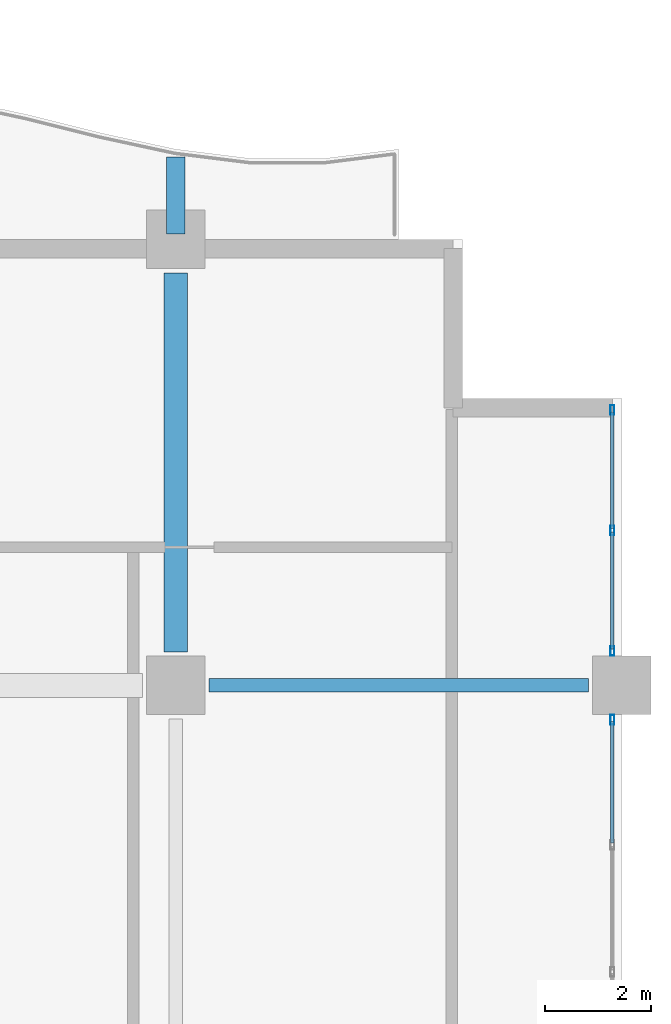
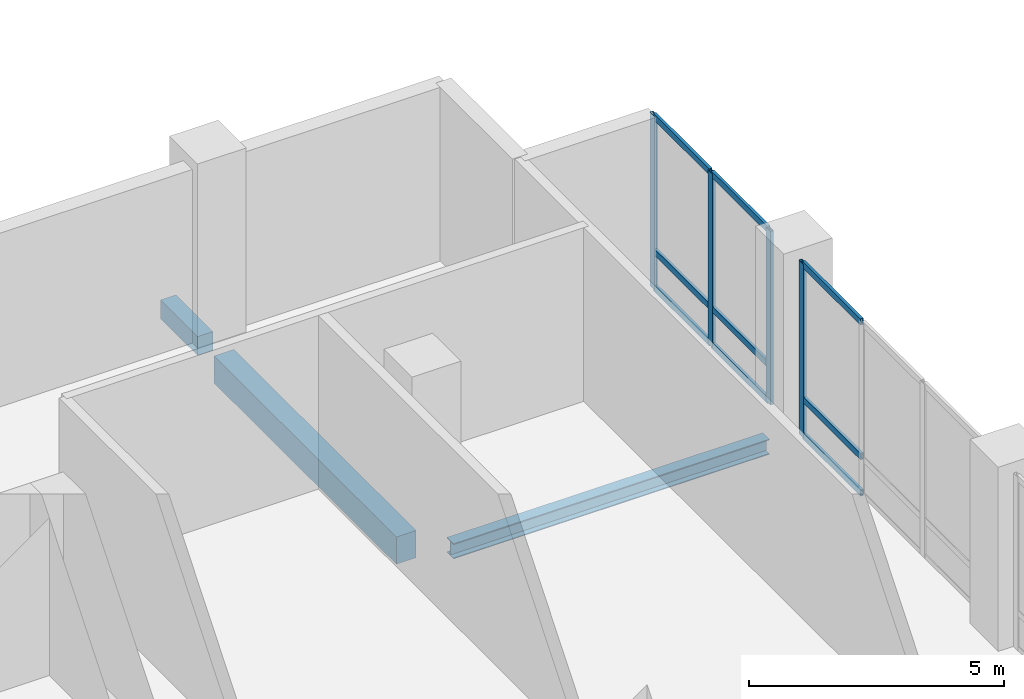
# One storey, part 7 of 22: 13 members, 3 beams, 2 elements without a shape of their own.
"""IFC4 building model written with IfcOpenShell, lengths in metres."""

from ifc_helpers import new_model, si_unit, direction, frame, origin, origin_2d, place, context, subcontext, project, spatial, rectangle, hollow_rectangle, i_section, extrude, material, layer, layer_set, material_profile, profile_set, type_object, element, aggregate, save


model = new_model("IFC4")

# Units and contexts
model_context = context("Model", 3, precision=1e-05, world=origin(), true_north=direction((0.0, 1.0)))
body_context = subcontext(model_context, "Body", "Model", "MODEL_VIEW")
ifc_project = project(units=[si_unit("LENGTHUNIT", "METRE"), si_unit("AREAUNIT", "SQUARE_METRE"), si_unit("VOLUMEUNIT", "CUBIC_METRE"), si_unit("PLANEANGLEUNIT", "RADIAN"), si_unit("MASSUNIT", "GRAM", prefix="KILO")], contexts=[model_context])

# Site, building, storey
site_placement = place(None, origin())
site = spatial("IfcSite", under=ifc_project, at=site_placement, CompositionType="ELEMENT")
building_placement = place(site_placement, origin())
building = spatial("IfcBuilding", under=site, at=building_placement, Name="Koriwani Terraces Tower", CompositionType="ELEMENT")
storey_placement = place(building_placement, frame((0.0, 0.0, 153.199951171875)))
storey = spatial("IfcBuildingStorey", under=building, at=storey_placement, Name="L37", CompositionType="ELEMENT", Elevation=153.199951171875)

# Beams
ifc_material_1 = material(Name="Concrete C40/50", Category="concrete")
ifc_material_profile_1 = material_profile(ifc_material_1, rectangle(XDim=0.35009765625, YDim=0.449951171875, at=origin_2d()), Name="Concrete C40/50", Category="LoadBearing")
ifc_profile_set_1 = profile_set([ifc_material_profile_1], Name="Concrete C40/50")
beam_type_1 = type_object("IfcBeamType", Name="BEAM_RC_BALCONY_RIB_350X450", PredefinedType="JOIST", material=ifc_profile_set_1)
beam_1_placement = place(storey_placement, frame((67.199951171875, 33.699951171875, -0.474853515625), z_axis=(0.0, 1.0, 0.0), x_axis=(-1.0, 0.0, 0.0)))
element("IfcBeam", 1, at=beam_1_placement, inside=storey, type_object=beam_type_1, Name="L37 Balcony Bracket Rib NE-4", PredefinedType="JOIST", context=body_context, shape_type="SweptSolid", body=[
    extrude(rectangle(XDim=0.35009765625, YDim=0.449951171875, at=origin_2d()), origin(), (0.0, 0.0, 1.0), 1.44775390625),
])
ifc_material_2 = material(Name="Concrete C50/60", Category="concrete")
ifc_material_profile_2 = material_profile(ifc_material_2, rectangle(XDim=0.449951171875, YDim=0.64990234375, at=origin_2d()), Name="Concrete C50/60", Category="LoadBearing")
ifc_profile_set_2 = profile_set([ifc_material_profile_2], Name="Concrete C50/60")
beam_type_2 = type_object("IfcBeamType", Name="BEAM_RC_GRID_450X650", PredefinedType="BEAM", material=ifc_profile_set_2)
beam_2_placement = place(storey_placement, frame((67.199951171875, 25.830078125, -0.574951171875), z_axis=(0.0, 1.0, 0.0), x_axis=(-1.0, 0.0, 0.0)))
element("IfcBeam", 2, at=beam_2_placement, inside=storey, type_object=beam_type_2, Name="L37 Grid Beam 9 (25.2-33.6m)", PredefinedType="BEAM", context=body_context, shape_type="SweptSolid", body=[
    extrude(rectangle(XDim=0.449951171875, YDim=0.64990234375, at=origin_2d()), origin(), (0.0, 0.0, 1.0), 7.139892578125),
])

# Curtain wall, members
ifc_material_3 = material(Name="Anodised Bronze Aluminium", Category="aluminium")
ifc_layer = layer(ifc_material_3, 0.169921875, Name="Anodised Bronze Aluminium")
ifc_layer_set = layer_set([ifc_layer], Name="Anodised Bronze Aluminium")
curtain_wall_type = type_object("IfcCurtainWallType", Name="CW_RES_ZONE3", PredefinedType="NOTDEFINED", material=ifc_layer_set)
curtain_wall_1_placement = place(storey_placement, origin())
curtain_wall_1 = element("IfcCurtainWall", 3, at=curtain_wall_1_placement, inside=storey, type_object=curtain_wall_type, Name="L37 Unitised Curtain Wall (E_TIP) Bay 1", PredefinedType="NOTDEFINED")
ifc_material_profile_3 = material_profile(ifc_material_3, hollow_rectangle(XDim=0.074951171875, YDim=0.179931640625, WallThickness=0.006103515625, at=origin_2d()), Name="Anodised Bronze Aluminium", Category="LoadBearing")
ifc_profile_set_3 = profile_set([ifc_material_profile_3], Name="Anodised Bronze Aluminium")
member_type_1 = type_object("IfcMemberType", Name="CW_MULLION_180X75", PredefinedType="MULLION", material=ifc_profile_set_3)
member_1_placement = place(storey_placement, frame((75.425048828125, 30.387451171875, 0.0), z_axis=(0.0, 0.0, 1.0), x_axis=(1.0, 0.0, 0.0)))
member_1 = element("IfcMember", 4, at=member_1_placement, type_object=member_type_1, Name="CW-Z3 mullion 1", PredefinedType="MULLION", context=body_context, shape_type="SweptSolid", body=[
    extrude(hollow_rectangle(XDim=0.074951171875, YDim=0.179931640625, WallThickness=0.006103515625, at=origin_2d()), origin(), (0.0, 0.0, 1.0), 4.150146484375),
])
member_2_placement = place(storey_placement, frame((75.425048828125, 28.117431640625, 0.0), z_axis=(0.0, 0.0, 1.0), x_axis=(1.0, 0.0, 0.0)))
member_2 = element("IfcMember", 5, at=member_2_placement, type_object=member_type_1, Name="CW-Z3 mullion 2", PredefinedType="MULLION", context=body_context, shape_type="SweptSolid", body=[
    extrude(hollow_rectangle(XDim=0.074951171875, YDim=0.179931640625, WallThickness=0.006103515625, at=origin_2d()), origin(), (0.0, 0.0, 1.0), 4.150146484375),
])
member_3_placement = place(storey_placement, frame((75.425048828125, 25.847412109375, 0.0), z_axis=(0.0, 0.0, 1.0), x_axis=(1.0, 0.0, 0.0)))
member_3 = element("IfcMember", 6, at=member_3_placement, type_object=member_type_1, Name="CW-Z3 mullion 3", PredefinedType="MULLION", context=body_context, shape_type="SweptSolid", body=[
    extrude(hollow_rectangle(XDim=0.074951171875, YDim=0.179931640625, WallThickness=0.006103515625, at=origin_2d()), origin(), (0.0, 0.0, 1.0), 4.150146484375),
])

# Curtain wall, member
curtain_wall_2_placement = place(storey_placement, origin())
curtain_wall_2 = element("IfcCurtainWall", 7, at=curtain_wall_2_placement, inside=storey, type_object=curtain_wall_type, Name="L37 Unitised Curtain Wall (E_TIP) Bay 2", PredefinedType="NOTDEFINED")
member_4_placement = place(storey_placement, frame((75.425048828125, 24.552490234375, 0.0), z_axis=(0.0, 0.0, 1.0), x_axis=(1.0, 0.0, 0.0)))
member_4 = element("IfcMember", 8, at=member_4_placement, type_object=member_type_1, Name="CW-Z3 mullion 1", PredefinedType="MULLION", context=body_context, shape_type="SweptSolid", body=[
    extrude(hollow_rectangle(XDim=0.074951171875, YDim=0.179931640625, WallThickness=0.006103515625, at=origin_2d()), origin(), (0.0, 0.0, 1.0), 4.150146484375),
])

# Member
ifc_material_profile_4 = material_profile(ifc_material_3, hollow_rectangle(XDim=0.06494140625, YDim=0.14990234375, WallThickness=0.0048828125, at=origin_2d()), Name="Anodised Bronze Aluminium", Category="LoadBearing")
ifc_profile_set_4 = profile_set([ifc_material_profile_4], Name="Anodised Bronze Aluminium")
member_type_2 = type_object("IfcMemberType", Name="CW_TRANSOM_150X65", PredefinedType="USERDEFINED", material=ifc_profile_set_4)
member_5_placement = place(storey_placement, frame((75.425048828125, 30.35009765625, 0.032470703125), z_axis=(0.0, -1.0, 0.0), x_axis=(1.0, 0.0, 0.0)))
member_5 = element("IfcMember", 9, at=member_5_placement, type_object=member_type_2, Name="CW-Z3 transom 1.1", ObjectType="TRANSOM", PredefinedType="USERDEFINED", context=body_context, shape_type="SweptSolid", body=[
    extrude(hollow_rectangle(XDim=0.06494140625, YDim=0.14990234375, WallThickness=0.0048828125, at=origin_2d()), origin(), (0.0, 0.0, 1.0), 2.195068359375),
])

member_6_placement = place(storey_placement, frame((75.425048828125, 30.35009765625, 0.900146484375), z_axis=(0.0, -1.0, 0.0), x_axis=(1.0, 0.0, 0.0)))
member_6 = element("IfcMember", 10, at=member_6_placement, type_object=member_type_2, Name="CW-Z3 transom 1.2", ObjectType="TRANSOM", PredefinedType="USERDEFINED", context=body_context, shape_type="SweptSolid", body=[
    extrude(hollow_rectangle(XDim=0.06494140625, YDim=0.14990234375, WallThickness=0.0048828125, at=origin_2d()), origin(), (0.0, 0.0, 1.0), 2.195068359375),
])

member_7_placement = place(storey_placement, frame((75.425048828125, 30.35009765625, 4.117431640625), z_axis=(0.0, -1.0, 0.0), x_axis=(1.0, 0.0, 0.0)))
member_7 = element("IfcMember", 11, at=member_7_placement, type_object=member_type_2, Name="CW-Z3 transom 1.3", ObjectType="TRANSOM", PredefinedType="USERDEFINED", context=body_context, shape_type="SweptSolid", body=[
    extrude(hollow_rectangle(XDim=0.06494140625, YDim=0.14990234375, WallThickness=0.0048828125, at=origin_2d()), origin(), (0.0, 0.0, 1.0), 2.195068359375),
])

member_8_placement = place(storey_placement, frame((75.425048828125, 28.080078125, 0.032470703125), z_axis=(0.0, -1.0, 0.0), x_axis=(1.0, 0.0, 0.0)))
member_8 = element("IfcMember", 12, at=member_8_placement, type_object=member_type_2, Name="CW-Z3 transom 2.1", ObjectType="TRANSOM", PredefinedType="USERDEFINED", context=body_context, shape_type="SweptSolid", body=[
    extrude(hollow_rectangle(XDim=0.06494140625, YDim=0.14990234375, WallThickness=0.0048828125, at=origin_2d()), origin(), (0.0, 0.0, 1.0), 2.195068359375),
])

member_9_placement = place(storey_placement, frame((75.425048828125, 28.080078125, 0.900146484375), z_axis=(0.0, -1.0, 0.0), x_axis=(1.0, 0.0, 0.0)))
member_9 = element("IfcMember", 13, at=member_9_placement, type_object=member_type_2, Name="CW-Z3 transom 2.2", ObjectType="TRANSOM", PredefinedType="USERDEFINED", context=body_context, shape_type="SweptSolid", body=[
    extrude(hollow_rectangle(XDim=0.06494140625, YDim=0.14990234375, WallThickness=0.0048828125, at=origin_2d()), origin(), (0.0, 0.0, 1.0), 2.195068359375),
])

member_10_placement = place(storey_placement, frame((75.425048828125, 28.080078125, 4.117431640625), z_axis=(0.0, -1.0, 0.0), x_axis=(1.0, 0.0, 0.0)))
member_10 = element("IfcMember", 14, at=member_10_placement, type_object=member_type_2, Name="CW-Z3 transom 2.3", ObjectType="TRANSOM", PredefinedType="USERDEFINED", context=body_context, shape_type="SweptSolid", body=[
    extrude(hollow_rectangle(XDim=0.06494140625, YDim=0.14990234375, WallThickness=0.0048828125, at=origin_2d()), origin(), (0.0, 0.0, 1.0), 2.195068359375),
])

aggregate(curtain_wall_1, [member_1, member_2, member_3, member_5, member_6, member_7, member_8, member_9, member_10])

member_11_placement = place(storey_placement, frame((75.425048828125, 24.514892578125, 0.032470703125), z_axis=(0.0, -1.0, 0.0), x_axis=(1.0, 0.0, 0.0)))
member_11 = element("IfcMember", 15, at=member_11_placement, type_object=member_type_2, Name="CW-Z3 transom 1.1", ObjectType="TRANSOM", PredefinedType="USERDEFINED", context=body_context, shape_type="SweptSolid", body=[
    extrude(hollow_rectangle(XDim=0.06494140625, YDim=0.14990234375, WallThickness=0.0048828125, at=origin_2d()), origin(), (0.0, 0.0, 1.0), 2.28076171875),
])

member_12_placement = place(storey_placement, frame((75.425048828125, 24.514892578125, 0.900146484375), z_axis=(0.0, -1.0, 0.0), x_axis=(1.0, 0.0, 0.0)))
member_12 = element("IfcMember", 16, at=member_12_placement, type_object=member_type_2, Name="CW-Z3 transom 1.2", ObjectType="TRANSOM", PredefinedType="USERDEFINED", context=body_context, shape_type="SweptSolid", body=[
    extrude(hollow_rectangle(XDim=0.06494140625, YDim=0.14990234375, WallThickness=0.0048828125, at=origin_2d()), origin(), (0.0, 0.0, 1.0), 2.28076171875),
])

member_13_placement = place(storey_placement, frame((75.425048828125, 24.514892578125, 4.117431640625), z_axis=(0.0, -1.0, 0.0), x_axis=(1.0, 0.0, 0.0)))
member_13 = element("IfcMember", 17, at=member_13_placement, type_object=member_type_2, Name="CW-Z3 transom 1.3", ObjectType="TRANSOM", PredefinedType="USERDEFINED", context=body_context, shape_type="SweptSolid", body=[
    extrude(hollow_rectangle(XDim=0.06494140625, YDim=0.14990234375, WallThickness=0.0048828125, at=origin_2d()), origin(), (0.0, 0.0, 1.0), 2.28076171875),
])

aggregate(curtain_wall_2, [member_4, member_11, member_12, member_13])

# Beam
ifc_material_4 = material(Name="Steel ASTM A572 Grade 50", Category="steel")
ifc_material_profile_5 = material_profile(ifc_material_4, i_section(OverallWidth=0.257080078125, OverallDepth=0.363037109375, WebThickness=0.012939453125, FlangeThickness=0.021728515625, at=origin_2d()), Name="Steel ASTM A572 Grade 50", Category="LoadBearing")
ifc_profile_set_5 = profile_set([ifc_material_profile_5], Name="Steel ASTM A572 Grade 50")
beam_type_3 = type_object("IfcBeamType", Name="STEEL_BEAM_W360X122", PredefinedType="JOIST", material=ifc_profile_set_5)
beam_3_placement = place(storey_placement, frame((67.830078125, 25.199951171875, -0.431396484375), z_axis=(1.0, 0.0, 0.0), x_axis=(0.0, 1.0, 0.0)))
element("IfcBeam", 18, at=beam_3_placement, inside=storey, type_object=beam_type_3, Name="L37 Grid Beam D (67.2-75.6m)", PredefinedType="JOIST", context=body_context, shape_type="SweptSolid", body=[
    extrude(i_section(OverallWidth=0.257080078125, OverallDepth=0.363037109375, WebThickness=0.012939453125, FlangeThickness=0.021728515625, at=origin_2d()), origin(), (0.0, 0.0, 1.0), 7.139892578125),
])

save(model, "model.ifc")
